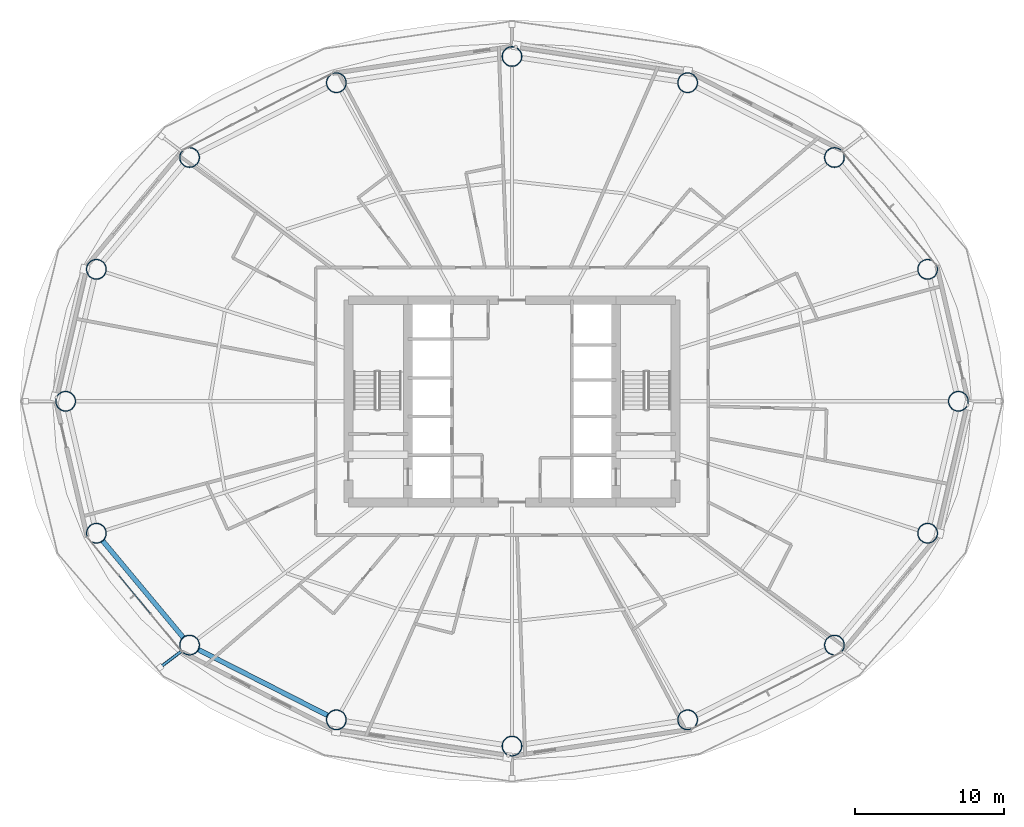
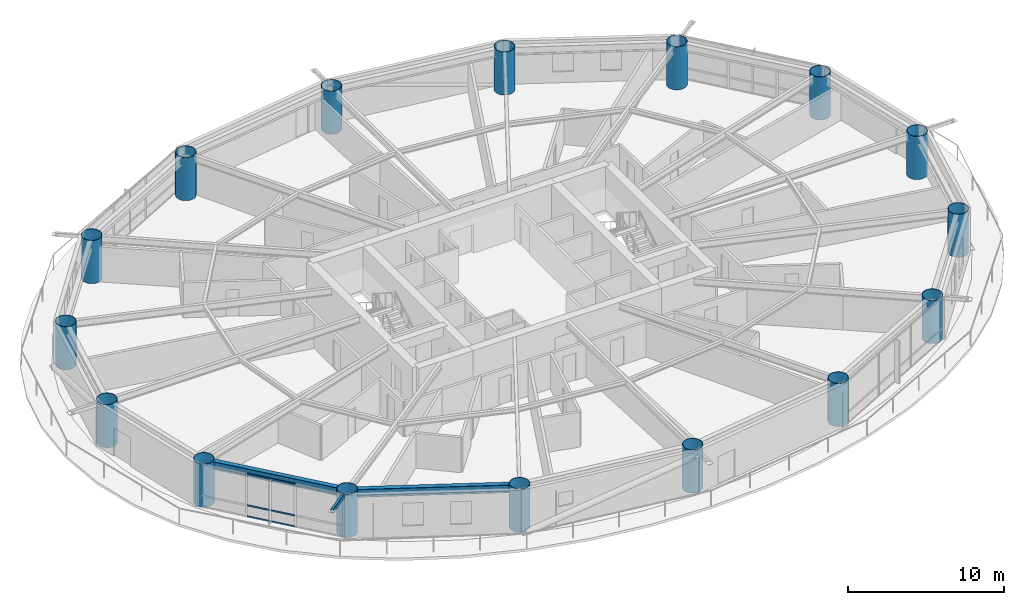
# One storey, part 1 of 26: 16 columns, 4 members, 2 beams, 1 element without a shape of its own.
"""IFC4 building model written with IfcOpenShell, lengths in metres."""

from ifc_helpers import new_model, si_unit, direction, frame, origin, origin_2d, place, context, subcontext, project, spatial, hollow_rectangle, hollow_circle, i_section, extrude, material, layer, layer_set, material_profile, profile_set, type_object, element, aggregate, save


model = new_model("IFC4")

# Units and contexts
model_context = context("Model", 3, precision=1e-05, world=origin(), true_north=direction((0.0, 1.0)))
body_context = subcontext(model_context, "Body", "Model", "MODEL_VIEW")
ifc_project = project(units=[si_unit("LENGTHUNIT", "METRE"), si_unit("AREAUNIT", "SQUARE_METRE"), si_unit("VOLUMEUNIT", "CUBIC_METRE"), si_unit("PLANEANGLEUNIT", "RADIAN"), si_unit("MASSUNIT", "GRAM", prefix="KILO")], contexts=[model_context])

# Site, building, storey
site_placement = place(None, origin())
site = spatial("IfcSite", under=ifc_project, at=site_placement, CompositionType="ELEMENT")
building_placement = place(site_placement, origin())
building = spatial("IfcBuilding", under=site, at=building_placement, Name="Sarneth Arch Tower", CompositionType="ELEMENT")
storey_placement = place(building_placement, frame((0.0, 0.0, 46.199951171875)))
storey = spatial("IfcBuildingStorey", under=building, at=storey_placement, Name="L10", CompositionType="ELEMENT", Elevation=46.199951171875)

# Columns
ifc_material_1 = material(Name="Steel S355", Category="steel")
ifc_material_profile_1 = material_profile(ifc_material_1, hollow_circle(Radius=0.675048828125, WallThickness=0.035888671875, at=origin_2d()), Name="CHS1350x36")
ifc_profile_set_1 = profile_set([ifc_material_profile_1], Name="Steel S355")
column_type = type_object("IfcColumnType", Name="COL-MEGA-1350", PredefinedType="COLUMN", material=ifc_profile_set_1)
for number, where, z_axis, x_axis, name in (
    (1, (78.034912109375, 42.0, 0.0), (0.0, 0.0, 1.0), (1.0, 0.0, 0.0), "L10 Perimeter mega-column M01"),
    (2, (75.965576171875, 50.878173828125, 0.0), (0.0, 0.0, 1.0), (1.0, 0.0, 0.0), "L10 Perimeter mega-column M02"),
    (3, (69.696533203125, 58.40478515625, 0.0), (0.0, 0.0, 1.0), (1.0, 0.0, 0.0), "L10 Perimeter mega-column M03"),
    (4, (59.81787109375, 63.43408203125, 0.0), (0.0, 0.0, 1.0), (1.0, 0.0, 0.0), "L10 Perimeter mega-column M04"),
    (5, (48.0, 65.199951171875, 0.0), (0.0, 0.0, 1.0), (1.0, 0.0, 0.0), "L10 Perimeter mega-column M05"),
    (6, (36.18212890625, 63.43408203125, 0.0), (0.0, 0.0, 1.0), (1.0, 0.0, 0.0), "L10 Perimeter mega-column M06"),
    (7, (26.303466796875, 58.40478515625, 0.0), (0.0, 0.0, 1.0), (1.0, 0.0, 0.0), "L10 Perimeter mega-column M07"),
    (8, (20.034423828125, 50.878173828125, 0.0), (0.0, 0.0, 1.0), (1.0, 0.0, 0.0), "L10 Perimeter mega-column M08"),
    (9, (17.965087890625, 42.0, 0.0), (0.0, 0.0, 1.0), (1.0, 0.0, 0.0), "L10 Perimeter mega-column M09"),
    (10, (20.034423828125, 33.121826171875, 0.0), (0.0, 0.0, 1.0), (1.0, 0.0, 0.0), "L10 Perimeter mega-column M10"),
    (11, (26.303466796875, 25.59521484375, 0.0), (0.0, 0.0, 1.0), (1.0, 0.0, 0.0), "L10 Perimeter mega-column M11"),
    (12, (36.18212890625, 20.56591796875, 0.0), (0.0, 0.0, 1.0), (1.0, 0.0, 0.0), "L10 Perimeter mega-column M12"),
    (13, (48.0, 18.800048828125, 0.0), (0.0, 0.0, 1.0), (1.0, 0.0, 0.0), "L10 Perimeter mega-column M13"),
    (14, (59.81787109375, 20.56591796875, 0.0), (0.0, 0.0, 1.0), (1.0, 0.0, 0.0), "L10 Perimeter mega-column M14"),
    (15, (69.696533203125, 25.59521484375, 0.0), (0.0, 0.0, 1.0), (1.0, 0.0, 0.0), "L10 Perimeter mega-column M15"),
    (16, (75.965576171875, 33.121826171875, 0.0), (0.0, 0.0, 1.0), (1.0, 0.0, 0.0), "L10 Perimeter mega-column M16"),
):
    element("IfcColumn", number, at=place(storey_placement, frame(where, z_axis=z_axis, x_axis=x_axis)), inside=storey, type_object=column_type, Name=name, PredefinedType="COLUMN", context=body_context, shape_type="SweptSolid", body=[
        extrude(hollow_circle(Radius=0.675048828125, WallThickness=0.035888671875, at=origin_2d()), origin(), (0.0, 0.0, 1.0), 3.380126953125),
    ])

# Beams
ifc_material_2 = material(Name="Steel S355", Category="steel")
ifc_material_profile_2 = material_profile(ifc_material_2, i_section(OverallWidth=0.326904296875, OverallDepth=0.6220703125, WebThickness=0.015380859375, FlangeThickness=0.0244140625, FilletRadius=0.01904296875, at=origin_2d()), Name="W610x195")
ifc_profile_set_2 = profile_set([ifc_material_profile_2], Name="Steel S355")
beam_type = type_object("IfcBeamType", Name="BM-SPAN-610A", PredefinedType="SPANDREL", material=ifc_profile_set_2)
beam_1_placement = place(storey_placement, frame((20.466552734375, 32.60302734375, 3.069091796875), z_axis=(0.639979646835, -0.768391860731, 0.0), x_axis=(0.768391860731, 0.639979646835, 0.0)))
element("IfcBeam", 17, at=beam_1_placement, inside=storey, type_object=beam_type, Name="L10 Perimeter spandrel beam 10", PredefinedType="SPANDREL", context=body_context, shape_type="SweptSolid", body=[
    extrude(i_section(OverallWidth=0.326904296875, OverallDepth=0.6220703125, WebThickness=0.015380859375, FlangeThickness=0.0244140625, FilletRadius=0.01904296875, at=origin_2d()), origin(), (0.0, 0.0, 1.0), 8.4453125),
])
beam_2_placement = place(storey_placement, frame((26.90478515625, 25.288818359375, 3.069091796875), z_axis=(0.8911738076, -0.453662037919, 0.0), x_axis=(0.453662037919, 0.8911738076, 0.0)))
element("IfcBeam", 18, at=beam_2_placement, inside=storey, type_object=beam_type, Name="L10 Perimeter spandrel beam 11", PredefinedType="SPANDREL", context=body_context, shape_type="SweptSolid", body=[
    extrude(i_section(OverallWidth=0.326904296875, OverallDepth=0.6220703125, WebThickness=0.015380859375, FlangeThickness=0.0244140625, FilletRadius=0.01904296875, at=origin_2d()), origin(), (0.0, 0.0, 1.0), 9.735107421875),
])

# Curtain wall, members
ifc_material_3 = material(Name="Anodised aluminium Type AA25 and solar-control low-e laminated IGU", Category="aluminium")
ifc_layer = layer(ifc_material_3, 0.159912109375)
ifc_layer_set = layer_set([ifc_layer], Name="Anodised aluminium Type AA25 and solar-control low-e laminated IGU")
curtain_wall_type = type_object("IfcCurtainWallType", Name="CW-HOTEL-LOW", PredefinedType="NOTDEFINED", material=ifc_layer_set)
curtain_wall_placement = place(storey_placement, origin())
curtain_wall = element("IfcCurtainWall", 19, at=curtain_wall_placement, inside=storey, type_object=curtain_wall_type, Name="L10 Unitised curtain wall facet 10", PredefinedType="NOTDEFINED")
ifc_material_4 = material(Name="Anodised Aluminium 6063-T6", Category="aluminium")
ifc_material_profile_3 = material_profile(ifc_material_4, hollow_rectangle(XDim=0.06005859375, YDim=0.1201171875, WallThickness=0.00390625, at=origin_2d()), Name="AL-TRAN-120x60x4")
ifc_profile_set_3 = profile_set([ifc_material_profile_3], Name="Anodised Aluminium 6063-T6")
member_type_1 = type_object("IfcMemberType", Name="CW-TRANSOM", PredefinedType="USERDEFINED", material=ifc_profile_set_3)
member_1_placement = place(storey_placement, frame((21.57373046875, 30.256103515625, 0.030029296875), z_axis=(0.637268595771, -0.770641769465, 0.0), x_axis=(0.770641769465, 0.637268595771, 0.0)))
member_1 = element("IfcMember", 20, at=member_1_placement, type_object=member_type_1, Name="CW-SYS-3 transom 2.1", ObjectType="TRANSOM", PredefinedType="USERDEFINED", context=body_context, shape_type="SweptSolid", body=[
    extrude(hollow_rectangle(XDim=0.06005859375, YDim=0.1201171875, WallThickness=0.00390625, at=origin_2d()), origin(), (0.0, 0.0, 1.0), 3.291259765625),
])
member_2_placement = place(storey_placement, frame((21.57373046875, 30.256103515625, 0.900146484375), z_axis=(0.637268595771, -0.770641769465, 0.0), x_axis=(0.770641769465, 0.637268595771, 0.0)))
member_2 = element("IfcMember", 21, at=member_2_placement, type_object=member_type_1, Name="CW-SYS-3 transom 2.2", ObjectType="TRANSOM", PredefinedType="USERDEFINED", context=body_context, shape_type="SweptSolid", body=[
    extrude(hollow_rectangle(XDim=0.06005859375, YDim=0.1201171875, WallThickness=0.00390625, at=origin_2d()), origin(), (0.0, 0.0, 1.0), 3.291259765625),
])
member_3_placement = place(storey_placement, frame((21.57373046875, 30.256103515625, 3.35009765625), z_axis=(0.637268595771, -0.770641769465, 0.0), x_axis=(0.770641769465, 0.637268595771, 0.0)))
member_3 = element("IfcMember", 22, at=member_3_placement, type_object=member_type_1, Name="CW-SYS-3 transom 2.3", ObjectType="TRANSOM", PredefinedType="USERDEFINED", context=body_context, shape_type="SweptSolid", body=[
    extrude(hollow_rectangle(XDim=0.06005859375, YDim=0.1201171875, WallThickness=0.00390625, at=origin_2d()), origin(), (0.0, 0.0, 1.0), 3.291259765625),
])
aggregate(curtain_wall, [member_1, member_2, member_3])

# Member
ifc_material_5 = material(Name="Steel S355", Category="steel")
ifc_material_profile_4 = material_profile(ifc_material_5, hollow_rectangle(XDim=0.199951171875, YDim=0.300048828125, WallThickness=0.012451171875, InnerFilletRadius=0.018798828125, OuterFilletRadius=0.03125, at=origin_2d()), Name="RHS300x200x12.5")
ifc_profile_set_4 = profile_set([ifc_material_profile_4], Name="Steel S355")
member_type_2 = type_object("IfcMemberType", Name="MEM-CANT-STRUT", PredefinedType="STRUT", material=ifc_profile_set_4)
member_4_placement = place(storey_placement, frame((25.764892578125, 25.18798828125, 3.219970703125), z_axis=(-0.797659331282, -0.603108274872, 0.0), x_axis=(0.603108274872, -0.797659331282, 0.0)))
element("IfcMember", 23, at=member_4_placement, inside=storey, type_object=member_type_2, Name="L10 Balcony cantilever bracket 11", PredefinedType="STRUT", context=body_context, shape_type="SweptSolid", body=[
    extrude(hollow_rectangle(XDim=0.199951171875, YDim=0.300048828125, WallThickness=0.012451171875, InnerFilletRadius=0.018798828125, OuterFilletRadius=0.03125, at=origin_2d()), origin(), (0.0, 0.0, 1.0), 1.80712890625),
])

save(model, "model.ifc")
